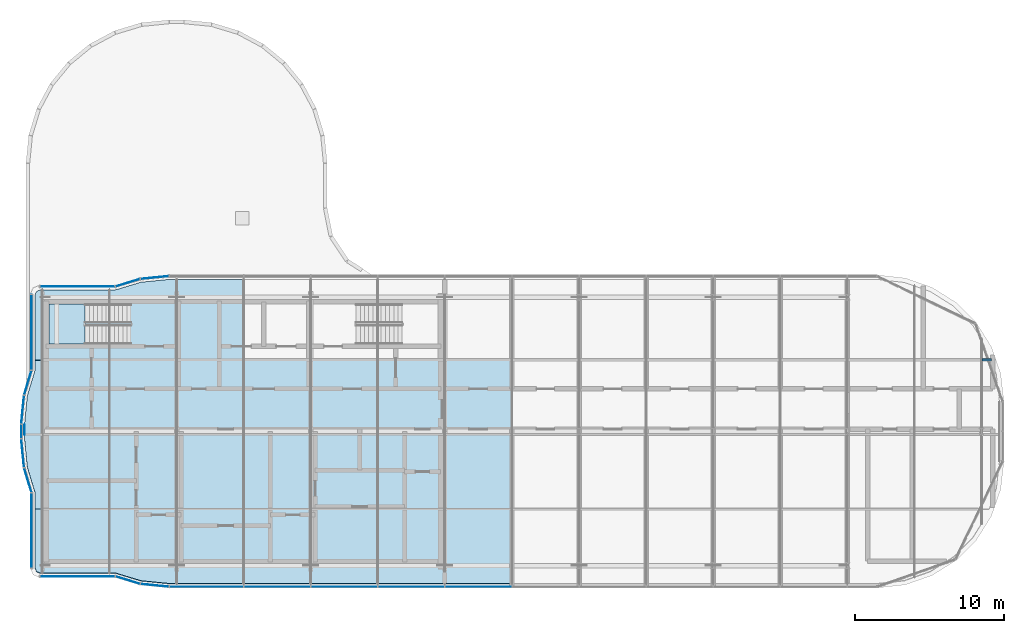
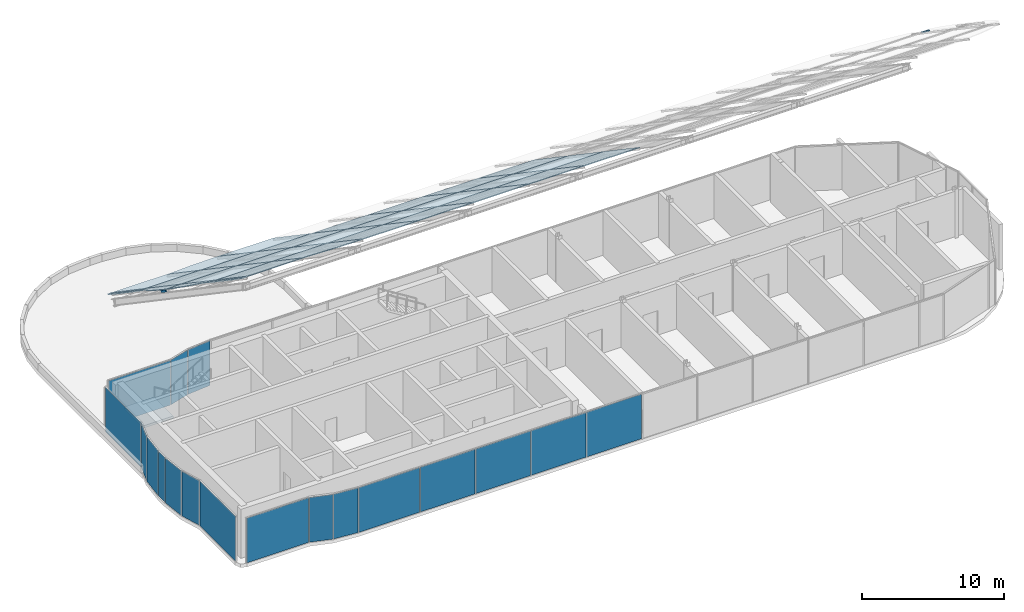
# One storey, part 18 of 25: 46 plates, 2 members, 1 slab, 27 elements without a shape of their own.
"""IFC4 building model written with IfcOpenShell, lengths in metres."""

from ifc_helpers import new_model, si_unit, direction, frame, origin, origin_2d, place, context, subcontext, project, spatial, polyline, rectangle, outline, extrude, material, layer, layer_set, material_profile, profile_set, type_object, element, aggregate, save


model = new_model("IFC4")

# Units and contexts
model_context = context("Model", 3, precision=1e-05, world=origin(), true_north=direction((0.0, 1.0)))
body_context = subcontext(model_context, "Body", "Model", "MODEL_VIEW")
ifc_project = project(units=[si_unit("LENGTHUNIT", "METRE"), si_unit("AREAUNIT", "SQUARE_METRE"), si_unit("VOLUMEUNIT", "CUBIC_METRE"), si_unit("PLANEANGLEUNIT", "RADIAN"), si_unit("MASSUNIT", "GRAM", prefix="KILO")], contexts=[model_context])

# Site, building, storey
site_placement = place(None, origin())
site = spatial("IfcSite", under=ifc_project, at=site_placement, CompositionType="ELEMENT")
building_placement = place(site_placement, origin())
building = spatial("IfcBuilding", under=site, at=building_placement, Name="Ogive Portal Towers", CompositionType="ELEMENT")
storey_placement = place(building_placement, frame((0.0, 0.0, 272.89990234375)))
storey = spatial("IfcBuildingStorey", under=building, at=storey_placement, Name="L66", CompositionType="ELEMENT", Elevation=272.89990234375)

# Curtain wall, member
ifc_material_1 = material(Name="Glass, clear low-iron insulated glazing", Category="glass")
curtain_wall_type = type_object("IfcCurtainWallType", Name="CW CROWN GLAZING", PredefinedType="NOTDEFINED", material=ifc_material_1)
curtain_wall_1_placement = place(storey_placement, origin())
curtain_wall_1 = element("IfcCurtainWall", 1, at=curtain_wall_1_placement, inside=storey, type_object=curtain_wall_type, Name="Crown roof glazing 1", PredefinedType="NOTDEFINED")
ifc_material_2 = material(Name="Aluminium 6063 anodised", Category="aluminium")
ifc_material_profile_1 = material_profile(ifc_material_2, rectangle(XDim=0.06005859375, YDim=0.159912109375, at=origin_2d()), Name="AL 60x160 rafter")
ifc_profile_set_1 = profile_set([ifc_material_profile_1], Name="Aluminium 6063 anodised")
member_type_1 = type_object("IfcMemberType", Name="CW ROOF RAFTER 60x160", PredefinedType="MULLION", material=ifc_profile_set_1)
member_1_placement = place(storey_placement, frame((30.300048828125, 30.300048828125, 17.931640625), z_axis=(0.0, 0.826893626001, -0.562358365528), x_axis=(-1.0, 0.0, 0.0)))
member_1 = element("IfcMember", 2, at=member_1_placement, type_object=member_type_1, Name="roof rafter", PredefinedType="MULLION", context=body_context, shape_type="SweptSolid", body=[
    extrude(rectangle(XDim=0.06005859375, YDim=0.159912109375, at=origin_2d()), origin(), (0.0, 0.0, 1.0), 0.828857421875),
])

curtain_wall_2_placement = place(storey_placement, origin())
curtain_wall_2 = element("IfcCurtainWall", 3, at=curtain_wall_2_placement, inside=storey, type_object=curtain_wall_type, Name="Crown roof glazing 6", PredefinedType="NOTDEFINED")
ifc_material_profile_2 = material_profile(ifc_material_2, rectangle(XDim=0.1201171875, YDim=0.06005859375, at=origin_2d()), Name="AL 120x60")
ifc_profile_set_2 = profile_set([ifc_material_profile_2], Name="Aluminium 6063 anodised")
member_type_2 = type_object("IfcMemberType", Name="CW TRANSOM 60x120", PredefinedType="USERDEFINED", material=ifc_profile_set_2)
member_2_placement = place(storey_placement, frame((94.530029296875, 35.300048828125, 14.592041015625), z_axis=(1.0, 0.0, 0.0), x_axis=(0.0, 1.0, 0.0)))
member_2 = element("IfcMember", 4, at=member_2_placement, type_object=member_type_2, Name="roof transom", ObjectType="TRANSOM", PredefinedType="USERDEFINED", context=body_context, shape_type="SweptSolid", body=[
    extrude(rectangle(XDim=0.1201171875, YDim=0.06005859375, at=origin_2d()), origin(), (0.0, 0.0, 1.0), 0.62109375),
])
aggregate(curtain_wall_2, [member_2])

# Curtain wall, plate
curtain_wall_3_placement = place(storey_placement, origin())
curtain_wall_3 = element("IfcCurtainWall", 5, at=curtain_wall_3_placement, inside=storey, type_object=curtain_wall_type, Name="A:L66:c00:cw", PredefinedType="NOTDEFINED")
ifc_layer_1 = layer(ifc_material_1, 0.028076171875)
ifc_layer_set_1 = layer_set([ifc_layer_1], Name="CW PANEL IGU 28")
plate_type_1 = type_object("IfcPlateType", Name="CW PANEL IGU 28", PredefinedType="CURTAIN_PANEL", material=ifc_layer_set_1)
plate_1_placement = place(storey_placement, frame((30.780029296875, 23.851318359375, 0.0), z_axis=(0.0, 0.0, 1.0), x_axis=(0.0, -1.0, 0.0)))
plate_1 = element("IfcPlate", 6, at=plate_1_placement, type_object=plate_type_1, Name="panel", PredefinedType="CURTAIN_PANEL", context=body_context, shape_type="SweptSolid", body=[
    extrude(rectangle(XDim=5.010986328125, YDim=0.028076171875, at=origin_2d()), origin(), (0.0, 0.0, 1.0), 3.840087890625),
])
aggregate(curtain_wall_3, [plate_1])

curtain_wall_4_placement = place(storey_placement, origin())
curtain_wall_4 = element("IfcCurtainWall", 7, at=curtain_wall_4_placement, inside=storey, type_object=curtain_wall_type, Name="A:L66:c03:cw", PredefinedType="NOTDEFINED")
plate_2_placement = place(storey_placement, frame((33.851318359375, 20.780029296875, 0.0), z_axis=(0.0, 0.0, 1.0), x_axis=(1.0, 0.0, 0.0)))
plate_2 = element("IfcPlate", 8, at=plate_2_placement, type_object=plate_type_1, Name="panel", PredefinedType="CURTAIN_PANEL", context=body_context, shape_type="SweptSolid", body=[
    extrude(rectangle(XDim=5.010986328125, YDim=0.028076171875, at=origin_2d()), origin(), (0.0, 0.0, 1.0), 3.840087890625),
])
aggregate(curtain_wall_4, [plate_2])

curtain_wall_5_placement = place(storey_placement, origin())
curtain_wall_5 = element("IfcCurtainWall", 9, at=curtain_wall_5_placement, inside=storey, type_object=curtain_wall_type, Name="A:L66:c04:cw", PredefinedType="NOTDEFINED")
plate_3_placement = place(storey_placement, frame((37.225830078125, 20.525390625, 0.0), z_axis=(0.0, 0.0, 1.0), x_axis=(0.956940335732, -0.290284677254, 0.0)))
plate_3 = element("IfcPlate", 10, at=plate_3_placement, type_object=plate_type_1, Name="panel", PredefinedType="CURTAIN_PANEL", context=body_context, shape_type="SweptSolid", body=[
    extrude(rectangle(XDim=1.693603515625, YDim=0.028076171875, at=origin_2d()), origin(), (0.0, 0.0, 1.0), 3.840087890625),
])
aggregate(curtain_wall_5, [plate_3])

curtain_wall_6_placement = place(storey_placement, origin())
curtain_wall_6 = element("IfcCurtainWall", 11, at=curtain_wall_6_placement, inside=storey, type_object=curtain_wall_type, Name="A:L66:c05:cw", PredefinedType="NOTDEFINED")
plate_4_placement = place(storey_placement, frame((39.034423828125, 20.175537109375, 0.0), z_axis=(0.0, 0.0, 1.0), x_axis=(0.995184726672, -0.09801714033, 0.0)))
plate_4 = element("IfcPlate", 12, at=plate_4_placement, type_object=plate_type_1, Name="panel", PredefinedType="CURTAIN_PANEL", context=body_context, shape_type="SweptSolid", body=[
    extrude(rectangle(XDim=1.888427734375, YDim=0.028076171875, at=origin_2d()), origin(), (0.0, 0.0, 1.0), 3.840087890625),
])
aggregate(curtain_wall_6, [plate_4])

# Curtain wall, plates
curtain_wall_7_placement = place(storey_placement, origin())
curtain_wall_7 = element("IfcCurtainWall", 13, at=curtain_wall_7_placement, inside=storey, type_object=curtain_wall_type, Name="A:L66:c06:cw", PredefinedType="NOTDEFINED")
plate_5_placement = place(storey_placement, frame((42.501953125, 20.080078125, 0.0), z_axis=(0.0, 0.0, 1.0), x_axis=(1.0, 0.0, 0.0)))
plate_5 = element("IfcPlate", 14, at=plate_5_placement, type_object=plate_type_1, Name="panel", PredefinedType="CURTAIN_PANEL", context=body_context, shape_type="SweptSolid", body=[
    extrude(rectangle(XDim=4.93603515625, YDim=0.028076171875, at=origin_2d()), origin(), (0.0, 0.0, 1.0), 3.840087890625),
])
plate_6_placement = place(storey_placement, frame((47.25, 20.080078125, 0.0), z_axis=(0.0, 0.0, 1.0), x_axis=(1.0, 0.0, 0.0)))
plate_6 = element("IfcPlate", 15, at=plate_6_placement, type_object=plate_type_1, Name="panel", PredefinedType="CURTAIN_PANEL", context=body_context, shape_type="SweptSolid", body=[
    extrude(rectangle(XDim=4.43994140625, YDim=0.028076171875, at=origin_2d()), origin(), (0.0, 0.0, 1.0), 3.840087890625),
])
plate_7_placement = place(storey_placement, frame((51.75, 20.080078125, 0.0), z_axis=(0.0, 0.0, 1.0), x_axis=(1.0, 0.0, 0.0)))
plate_7 = element("IfcPlate", 16, at=plate_7_placement, type_object=plate_type_1, Name="panel", PredefinedType="CURTAIN_PANEL", context=body_context, shape_type="SweptSolid", body=[
    extrude(rectangle(XDim=4.43994140625, YDim=0.028076171875, at=origin_2d()), origin(), (0.0, 0.0, 1.0), 3.840087890625),
])
plate_8_placement = place(storey_placement, frame((56.25, 20.080078125, 0.0), z_axis=(0.0, 0.0, 1.0), x_axis=(1.0, 0.0, 0.0)))
plate_8 = element("IfcPlate", 17, at=plate_8_placement, type_object=plate_type_1, Name="panel", PredefinedType="CURTAIN_PANEL", context=body_context, shape_type="SweptSolid", body=[
    extrude(rectangle(XDim=4.43994140625, YDim=0.028076171875, at=origin_2d()), origin(), (0.0, 0.0, 1.0), 3.840087890625),
])
plate_9_placement = place(storey_placement, frame((60.75, 20.080078125, 0.0), z_axis=(0.0, 0.0, 1.0), x_axis=(1.0, 0.0, 0.0)))
plate_9 = element("IfcPlate", 18, at=plate_9_placement, type_object=plate_type_1, Name="panel", PredefinedType="CURTAIN_PANEL", context=body_context, shape_type="SweptSolid", body=[
    extrude(rectangle(XDim=4.43994140625, YDim=0.028076171875, at=origin_2d()), origin(), (0.0, 0.0, 1.0), 3.840087890625),
])
aggregate(curtain_wall_7, [plate_5, plate_6, plate_7, plate_8, plate_9])

# Curtain wall, plate
curtain_wall_8_placement = place(storey_placement, origin())
curtain_wall_8 = element("IfcCurtainWall", 19, at=curtain_wall_8_placement, inside=storey, type_object=curtain_wall_type, Name="A:L66:c13:cw", PredefinedType="NOTDEFINED")
plate_10_placement = place(storey_placement, frame((39.034423828125, 40.824462890625, 0.0), z_axis=(0.0, 0.0, 1.0), x_axis=(-0.995184726672, -0.09801714033, 0.0)))
plate_10 = element("IfcPlate", 20, at=plate_10_placement, type_object=plate_type_1, Name="panel", PredefinedType="CURTAIN_PANEL", context=body_context, shape_type="SweptSolid", body=[
    extrude(rectangle(XDim=1.888427734375, YDim=0.028076171875, at=origin_2d()), origin(), (0.0, 0.0, 1.0), 3.840087890625),
])
aggregate(curtain_wall_8, [plate_10])

curtain_wall_9_placement = place(storey_placement, origin())
curtain_wall_9 = element("IfcCurtainWall", 21, at=curtain_wall_9_placement, inside=storey, type_object=curtain_wall_type, Name="A:L66:c14:cw", PredefinedType="NOTDEFINED")
plate_11_placement = place(storey_placement, frame((37.225830078125, 40.474609375, 0.0), z_axis=(0.0, 0.0, 1.0), x_axis=(-0.956940335732, -0.290284677254, 0.0)))
plate_11 = element("IfcPlate", 22, at=plate_11_placement, type_object=plate_type_1, Name="panel", PredefinedType="CURTAIN_PANEL", context=body_context, shape_type="SweptSolid", body=[
    extrude(rectangle(XDim=1.693603515625, YDim=0.028076171875, at=origin_2d()), origin(), (0.0, 0.0, 1.0), 3.840087890625),
])
aggregate(curtain_wall_9, [plate_11])

curtain_wall_10_placement = place(storey_placement, origin())
curtain_wall_10 = element("IfcCurtainWall", 23, at=curtain_wall_10_placement, inside=storey, type_object=curtain_wall_type, Name="A:L66:c15:cw", PredefinedType="NOTDEFINED")
plate_12_placement = place(storey_placement, frame((33.851318359375, 40.219970703125, 0.0), z_axis=(0.0, 0.0, 1.0), x_axis=(-1.0, 0.0, 0.0)))
plate_12 = element("IfcPlate", 24, at=plate_12_placement, type_object=plate_type_1, Name="panel", PredefinedType="CURTAIN_PANEL", context=body_context, shape_type="SweptSolid", body=[
    extrude(rectangle(XDim=5.010986328125, YDim=0.028076171875, at=origin_2d()), origin(), (0.0, 0.0, 1.0), 3.840087890625),
])
aggregate(curtain_wall_10, [plate_12])

curtain_wall_11_placement = place(storey_placement, origin())
curtain_wall_11 = element("IfcCurtainWall", 25, at=curtain_wall_11_placement, inside=storey, type_object=curtain_wall_type, Name="A:L66:c18:cw", PredefinedType="NOTDEFINED")
plate_13_placement = place(storey_placement, frame((30.780029296875, 37.148681640625, 0.0), z_axis=(0.0, 0.0, 1.0), x_axis=(0.0, -1.0, 0.0)))
plate_13 = element("IfcPlate", 26, at=plate_13_placement, type_object=plate_type_1, Name="panel", PredefinedType="CURTAIN_PANEL", context=body_context, shape_type="SweptSolid", body=[
    extrude(rectangle(XDim=5.010986328125, YDim=0.028076171875, at=origin_2d()), origin(), (0.0, 0.0, 1.0), 3.840087890625),
])
aggregate(curtain_wall_11, [plate_13])

curtain_wall_12_placement = place(storey_placement, origin())
curtain_wall_12 = element("IfcCurtainWall", 27, at=curtain_wall_12_placement, inside=storey, type_object=curtain_wall_type, Name="A:L66:c19:cw", PredefinedType="NOTDEFINED")
plate_14_placement = place(storey_placement, frame((30.525390625, 33.774169921875, 0.0), z_axis=(0.0, 0.0, 1.0), x_axis=(-0.290284677254, -0.956940335732, 0.0)))
plate_14 = element("IfcPlate", 28, at=plate_14_placement, type_object=plate_type_1, Name="panel", PredefinedType="CURTAIN_PANEL", context=body_context, shape_type="SweptSolid", body=[
    extrude(rectangle(XDim=1.693603515625, YDim=0.028076171875, at=origin_2d()), origin(), (0.0, 0.0, 1.0), 3.840087890625),
])
aggregate(curtain_wall_12, [plate_14])

curtain_wall_13_placement = place(storey_placement, origin())
curtain_wall_13 = element("IfcCurtainWall", 29, at=curtain_wall_13_placement, inside=storey, type_object=curtain_wall_type, Name="A:L66:c20:cw", PredefinedType="NOTDEFINED")
plate_15_placement = place(storey_placement, frame((30.175537109375, 31.965576171875, 0.0), z_axis=(0.0, 0.0, 1.0), x_axis=(-0.09801714033, -0.995184726672, 0.0)))
plate_15 = element("IfcPlate", 30, at=plate_15_placement, type_object=plate_type_1, Name="panel", PredefinedType="CURTAIN_PANEL", context=body_context, shape_type="SweptSolid", body=[
    extrude(rectangle(XDim=1.888427734375, YDim=0.028076171875, at=origin_2d()), origin(), (0.0, 0.0, 1.0), 3.840087890625),
])
aggregate(curtain_wall_13, [plate_15])

curtain_wall_14_placement = place(storey_placement, origin())
curtain_wall_14 = element("IfcCurtainWall", 31, at=curtain_wall_14_placement, inside=storey, type_object=curtain_wall_type, Name="A:L66:c21:cw", PredefinedType="NOTDEFINED")
plate_16_placement = place(storey_placement, frame((30.080078125, 30.5, 0.0), z_axis=(0.0, 0.0, 1.0), x_axis=(0.0, -1.0, 0.0)))
plate_16 = element("IfcPlate", 32, at=plate_16_placement, type_object=plate_type_1, Name="panel", PredefinedType="CURTAIN_PANEL", context=body_context, shape_type="SweptSolid", body=[
    extrude(rectangle(XDim=0.93212890625, YDim=0.028076171875, at=origin_2d()), origin(), (0.0, 0.0, 1.0), 3.840087890625),
])
aggregate(curtain_wall_14, [plate_16])

curtain_wall_15_placement = place(storey_placement, origin())
curtain_wall_15 = element("IfcCurtainWall", 33, at=curtain_wall_15_placement, inside=storey, type_object=curtain_wall_type, Name="A:L66:c22:cw", PredefinedType="NOTDEFINED")
plate_17_placement = place(storey_placement, frame((30.175537109375, 29.034423828125, 0.0), z_axis=(0.0, 0.0, 1.0), x_axis=(0.09801714033, -0.995184726672, 0.0)))
plate_17 = element("IfcPlate", 34, at=plate_17_placement, type_object=plate_type_1, Name="panel", PredefinedType="CURTAIN_PANEL", context=body_context, shape_type="SweptSolid", body=[
    extrude(rectangle(XDim=1.888427734375, YDim=0.028076171875, at=origin_2d()), origin(), (0.0, 0.0, 1.0), 3.840087890625),
])
aggregate(curtain_wall_15, [plate_17])

curtain_wall_16_placement = place(storey_placement, origin())
curtain_wall_16 = element("IfcCurtainWall", 35, at=curtain_wall_16_placement, inside=storey, type_object=curtain_wall_type, Name="A:L66:c23:cw", PredefinedType="NOTDEFINED")
plate_18_placement = place(storey_placement, frame((30.525390625, 27.225830078125, 0.0), z_axis=(0.0, 0.0, 1.0), x_axis=(0.290284677254, -0.956940335732, 0.0)))
plate_18 = element("IfcPlate", 36, at=plate_18_placement, type_object=plate_type_1, Name="panel", PredefinedType="CURTAIN_PANEL", context=body_context, shape_type="SweptSolid", body=[
    extrude(rectangle(XDim=1.693603515625, YDim=0.028076171875, at=origin_2d()), origin(), (0.0, 0.0, 1.0), 3.840087890625),
])
aggregate(curtain_wall_16, [plate_18])

curtain_wall_17_placement = place(storey_placement, origin())
curtain_wall_17 = element("IfcCurtainWall", 37, at=curtain_wall_17_placement, inside=storey, type_object=curtain_wall_type, Name="Crown roof glazing edge 1.1", PredefinedType="NOTDEFINED")
ifc_layer_2 = layer(ifc_material_1, 0.055908203125)
ifc_layer_set_2 = layer_set([ifc_layer_2], Name="CW ROOF PANEL IGU 56")
plate_type_2 = type_object("IfcPlateType", Name="CW ROOF PANEL IGU 56", PredefinedType="CURTAIN_PANEL", material=ifc_layer_set_2)
plate_19_placement = place(storey_placement, frame((31.5, 21.0, 24.420166015625), z_axis=(-8.5233044e-05, 0.562303198042, 0.826931137524), x_axis=(-1.233e-09, 0.826931140528, -0.562303200084)))
plate_19 = element("IfcPlate", 38, at=plate_19_placement, type_object=plate_type_2, Name="roof panel", PredefinedType="CURTAIN_PANEL", context=body_context, shape_type="SweptSolid", body=[
    extrude(outline(polyline([(0.0, 0.0), (5.200059474006227, 2.710505431213761e-20), (5.2000594746224955, 0.499999998183832), (0.43493588354650037, 0.5000000041482142), (0.12737413681283463, 0.39477540495440205), (1.7302475975055135e-10, 0.14038085886508955), (0.0, 0.0)])), origin(), (0.0, 0.0, -1.0), 0.055908203125),
])
aggregate(curtain_wall_17, [plate_19])

curtain_wall_18_placement = place(storey_placement, origin())
curtain_wall_18 = element("IfcCurtainWall", 39, at=curtain_wall_18_placement, inside=storey, type_object=curtain_wall_type, Name="Crown roof glazing edge 1.2", PredefinedType="NOTDEFINED")
plate_20_placement = place(storey_placement, frame((30.48779296875, 28.10791015625, 19.586669921875), z_axis=(-0.000127160178, 0.562285813765, 0.826942952972), x_axis=(0.242576825803, -0.802226647183, 0.545517085098)))
plate_20 = element("IfcPlate", 40, at=plate_20_placement, type_object=plate_type_2, Name="roof panel", PredefinedType="CURTAIN_PANEL", context=body_context, shape_type="SweptSolid", body=[
    extrude(outline(polyline([(0.0, 0.0), (2.087370262362453, -5.551115123125783e-17), (3.4184140557450124, -0.3267812264589724), (3.5397024686463014, 0.15828486888624826), (-2.32613558344672, 1.625009070771845), (-2.61721592983824, 0.460897811679189), (-2.2825129229719825, 0.37720693315208786), (0.0, 0.0)])), origin(), (0.0, 0.0, -1.0), 0.055908203125),
])
aggregate(curtain_wall_18, [plate_20])

curtain_wall_19_placement = place(storey_placement, origin())
curtain_wall_19 = element("IfcCurtainWall", 41, at=curtain_wall_19_placement, inside=storey, type_object=curtain_wall_type, Name="Crown roof glazing edge 1.3", PredefinedType="NOTDEFINED")
plate_21_placement = place(storey_placement, frame((30.300048828125, 30.300048828125, 18.09619140625), z_axis=(-9.019325e-06, 0.562326901071, 0.826915023597), x_axis=(0.999999999959, 5.071809e-06, 7.458215e-06)))
plate_21 = element("IfcPlate", 42, at=plate_21_placement, type_object=plate_type_2, Name="roof panel", PredefinedType="CURTAIN_PANEL", context=body_context, shape_type="SweptSolid", body=[
    extrude(outline(polyline([(0.0, 0.0), (1.1999511718261933, 0.0), (1.1999511718468925, 6.046568953977323), (0.6999511718672295, 6.046568953977323), (0.6940917972140213, 5.159633751359792), (0.18774414039328607, 3.1346086503381123), (-2.844274575932095e-10, 0.8287677064256787), (0.0, 0.0)])), origin(), (0.0, 0.0, -1.0), 0.055908203125),
])
aggregate(curtain_wall_19, [plate_21])

curtain_wall_20_placement = place(storey_placement, origin())
curtain_wall_20 = element("IfcCurtainWall", 43, at=curtain_wall_20_placement, inside=storey, type_object=curtain_wall_type, Name="Crown roof glazing edge 1.4", PredefinedType="NOTDEFINED")
plate_22_placement = place(storey_placement, frame((31.0, 35.300048828125, 14.696044921875), z_axis=(8.1635011e-05, 0.562308564748, 0.826927488566), x_axis=(0.999999996668, -4.5904066e-05, -6.7506235e-05)))
plate_22 = element("IfcPlate", 44, at=plate_22_placement, type_object=plate_type_2, Name="roof panel", PredefinedType="CURTAIN_PANEL", context=body_context, shape_type="SweptSolid", body=[
    extrude(outline(polyline([(0.0, 0.0), (0.4999999983339313, 0.0), (0.5000000044241275, 5.68368227077188), (0.35961914551689583, 5.68368227077188), (0.10522459993376512, 5.556308133236114), (9.457366048062563e-11, 5.248746387355857), (0.0, 0.0)])), origin(), (0.0, 0.0, -1.0), 0.055908203125),
])
aggregate(curtain_wall_20, [plate_22])

curtain_wall_21_placement = place(storey_placement, origin())
curtain_wall_21 = element("IfcCurtainWall", 45, at=curtain_wall_21_placement, inside=storey, type_object=curtain_wall_type, Name="Crown roof glazing edge 1.5", PredefinedType="NOTDEFINED")
plate_23_placement = place(storey_placement, frame((36.0, 21.0, 24.420166015625), z_axis=(0.0, 0.562315158112, 0.826923009087), x_axis=(0.0, 0.826923009087, -0.562315158112)))
plate_23 = element("IfcPlate", 46, at=plate_23_placement, type_object=plate_type_2, Name="roof panel", PredefinedType="CURTAIN_PANEL", context=body_context, shape_type="SweptSolid", body=[
    extrude(outline(polyline([(0.0, 0.0), (5.200059474549931, 0.0), (5.200059474549931, 4.5), (0.0, 4.5), (0.0, 0.0)])), origin(), (0.0, 0.0, -1.0), 0.055908203125),
])
aggregate(curtain_wall_21, [plate_23])

curtain_wall_22_placement = place(storey_placement, origin())
curtain_wall_22 = element("IfcCurtainWall", 47, at=curtain_wall_22_placement, inside=storey, type_object=curtain_wall_type, Name="Crown roof glazing edge 1.6", PredefinedType="NOTDEFINED")
plate_24_placement = place(storey_placement, frame((31.5, 40.0, 11.5), z_axis=(0.0, 0.56231942064, 0.826920110513), x_axis=(0.0, -0.826920110513, 0.56231942064)))
plate_24 = element("IfcPlate", 48, at=plate_24_placement, type_object=plate_type_2, Name="roof panel", PredefinedType="CURTAIN_PANEL", context=body_context, shape_type="SweptSolid", body=[
    extrude(outline(polyline([(0.0, 0.0), (5.683682271261489, 0.0), (5.683682271261489, 4.5), (0.0, 4.5), (0.0, 0.0)])), origin(), (0.0, 0.0, -1.0), 0.055908203125),
])
aggregate(curtain_wall_22, [plate_24])

curtain_wall_23_placement = place(storey_placement, origin())
curtain_wall_23 = element("IfcCurtainWall", 49, at=curtain_wall_23_placement, inside=storey, type_object=curtain_wall_type, Name="Crown roof glazing edge 1.7", PredefinedType="NOTDEFINED")
plate_25_placement = place(storey_placement, frame((40.5, 20.300048828125, 24.89599609375), z_axis=(1.042962e-05, 0.562299843075, 0.826933423178), x_axis=(-1.1e-11, 0.826933423223, -0.562299843106)))
plate_25 = element("IfcPlate", 50, at=plate_25_placement, type_object=plate_type_2, Name="roof panel", PredefinedType="CURTAIN_PANEL", context=body_context, shape_type="SweptSolid", body=[
    extrude(outline(polyline([(0.0, 0.0), (6.046431670580315, 6.776263578034403e-21), (6.046431670629463, 4.499999999755252), (0.8463721969713514, 4.500000000816491), (0.8393304001777894, 4.06665039079225), (0.22704946789789512, 2.3920898434198232), (5.300929157206609e-12, 0.48535156247360245), (0.0, 0.0)])), origin(), (0.0, 0.0, -1.0), 0.055908203125),
])
aggregate(curtain_wall_23, [plate_25])

curtain_wall_24_placement = place(storey_placement, origin())
curtain_wall_24 = element("IfcCurtainWall", 51, at=curtain_wall_24_placement, inside=storey, type_object=curtain_wall_type, Name="Crown roof glazing edge 1.8", PredefinedType="NOTDEFINED")
plate_26_placement = place(storey_placement, frame((36.0, 40.0, 11.5), z_axis=(-1.1733853e-05, 0.562306807738, 0.826928687272), x_axis=(1.79e-10, -0.826928687329, 0.562306807777)))
plate_26 = element("IfcPlate", 52, at=plate_26_placement, type_object=plate_type_2, Name="roof panel", PredefinedType="CURTAIN_PANEL", context=body_context, shape_type="SweptSolid", body=[
    extrude(outline(polyline([(0.0, 0.0), (5.683682270600346, 0.0), (5.683682271405726, 4.499999999690213), (-0.8463721952223482, 4.500000001129683), (-0.8463721953092131, 4.014648438663095), (-0.6193227276271871, 2.107910157703588), (-0.015642154582468402, 0.4619140625650435), (6.711502787211534e-11, 0.37499999997418443), (0.0, 0.0)])), origin(), (0.0, 0.0, -1.0), 0.055908203125),
])
aggregate(curtain_wall_24, [plate_26])

# Plate
plate_27_placement = place(storey_placement, frame((36.0, 25.300048828125, 21.49609375), z_axis=(0.0, 0.562298977146, 0.82693401206), x_axis=(0.0, 0.82693401206, -0.562298977146)))
plate_27 = element("IfcPlate", 53, at=plate_27_placement, type_object=plate_type_2, Name="roof panel", PredefinedType="CURTAIN_PANEL", context=body_context, shape_type="SweptSolid", body=[
    extrude(outline(polyline([(0.0, 0.0), (6.04643167058363, 0.0), (6.04643167058363, 4.5), (0.0, 4.5), (0.0, 0.0)])), origin(), (0.0, 0.0, -1.0), 0.055908203125),
])

plate_28_placement = place(storey_placement, frame((36.0, 30.300048828125, 18.09619140625), z_axis=(0.0, 0.562326587236, 0.826915237064), x_axis=(0.0, 0.826915237064, -0.562326587236)))
plate_28 = element("IfcPlate", 54, at=plate_28_placement, type_object=plate_type_2, Name="roof panel", PredefinedType="CURTAIN_PANEL", context=body_context, shape_type="SweptSolid", body=[
    extrude(outline(polyline([(0.0, 0.0), (6.046568953977757, 0.0), (6.046568953977757, 4.5), (0.0, 4.5), (0.0, 0.0)])), origin(), (0.0, 0.0, -1.0), 0.055908203125),
])

plate_29_placement = place(storey_placement, frame((40.5, 25.300048828125, 21.49609375), z_axis=(0.0, 0.562298977146, 0.82693401206), x_axis=(0.0, 0.82693401206, -0.562298977146)))
plate_29 = element("IfcPlate", 55, at=plate_29_placement, type_object=plate_type_2, Name="roof panel", PredefinedType="CURTAIN_PANEL", context=body_context, shape_type="SweptSolid", body=[
    extrude(outline(polyline([(0.0, 0.0), (6.04643167058363, 0.0), (6.04643167058363, 4.5), (0.0, 4.5), (0.0, 0.0)])), origin(), (0.0, 0.0, -1.0), 0.055908203125),
])

plate_30_placement = place(storey_placement, frame((40.5, 30.300048828125, 18.09619140625), z_axis=(0.0, 0.562326587236, 0.826915237064), x_axis=(0.0, 0.826915237064, -0.562326587236)))
plate_30 = element("IfcPlate", 56, at=plate_30_placement, type_object=plate_type_2, Name="roof panel", PredefinedType="CURTAIN_PANEL", context=body_context, shape_type="SweptSolid", body=[
    extrude(outline(polyline([(0.0, 0.0), (6.046568953977757, 0.0), (6.046568953977757, 4.5), (0.0, 4.5), (0.0, 0.0)])), origin(), (0.0, 0.0, -1.0), 0.055908203125),
])

aggregate(curtain_wall_1, [plate_27, plate_28, plate_29, plate_30, member_1])

# Curtain wall, plates
curtain_wall_25_placement = place(storey_placement, origin())
curtain_wall_25 = element("IfcCurtainWall", 57, at=curtain_wall_25_placement, inside=storey, type_object=curtain_wall_type, Name="Crown roof glazing 2", PredefinedType="NOTDEFINED")
plate_31_placement = place(storey_placement, frame((45.0, 20.300048828125, 24.89599609375), z_axis=(0.0, 0.562298977146, 0.82693401206), x_axis=(0.0, 0.82693401206, -0.562298977146)))
plate_31 = element("IfcPlate", 58, at=plate_31_placement, type_object=plate_type_2, Name="roof panel", PredefinedType="CURTAIN_PANEL", context=body_context, shape_type="SweptSolid", body=[
    extrude(outline(polyline([(0.0, 0.0), (6.04643167058363, 0.0), (6.04643167058363, 4.5), (0.0, 4.5), (0.0, 0.0)])), origin(), (0.0, 0.0, -1.0), 0.055908203125),
])
plate_32_placement = place(storey_placement, frame((45.0, 25.300048828125, 21.49609375), z_axis=(0.0, 0.562298977146, 0.82693401206), x_axis=(0.0, 0.82693401206, -0.562298977146)))
plate_32 = element("IfcPlate", 59, at=plate_32_placement, type_object=plate_type_2, Name="roof panel", PredefinedType="CURTAIN_PANEL", context=body_context, shape_type="SweptSolid", body=[
    extrude(outline(polyline([(0.0, 0.0), (6.04643167058363, 0.0), (6.04643167058363, 4.5), (0.0, 4.5), (0.0, 0.0)])), origin(), (0.0, 0.0, -1.0), 0.055908203125),
])
plate_33_placement = place(storey_placement, frame((45.0, 30.300048828125, 18.09619140625), z_axis=(0.0, 0.562326587236, 0.826915237064), x_axis=(0.0, 0.826915237064, -0.562326587236)))
plate_33 = element("IfcPlate", 60, at=plate_33_placement, type_object=plate_type_2, Name="roof panel", PredefinedType="CURTAIN_PANEL", context=body_context, shape_type="SweptSolid", body=[
    extrude(outline(polyline([(0.0, 0.0), (6.046568953977757, 0.0), (6.046568953977757, 4.5), (0.0, 4.5), (0.0, 0.0)])), origin(), (0.0, 0.0, -1.0), 0.055908203125),
])
plate_34_placement = place(storey_placement, frame((40.5, 40.699951171875, 11.024169921875), z_axis=(0.0, 0.562303885633, 0.826930674363), x_axis=(0.0, -0.826930674363, 0.562303885633)))
plate_34 = element("IfcPlate", 61, at=plate_34_placement, type_object=plate_type_2, Name="roof panel", PredefinedType="CURTAIN_PANEL", context=body_context, shape_type="SweptSolid", body=[
    extrude(outline(polyline([(0.0, 0.0), (6.530054466668846, 0.0), (6.530054466668846, 4.5), (0.0, 4.5), (0.0, 0.0)])), origin(), (0.0, 0.0, -1.0), 0.055908203125),
])
plate_35_placement = place(storey_placement, frame((49.5, 20.300048828125, 24.89599609375), z_axis=(0.0, 0.562298977146, 0.82693401206), x_axis=(0.0, 0.82693401206, -0.562298977146)))
plate_35 = element("IfcPlate", 62, at=plate_35_placement, type_object=plate_type_2, Name="roof panel", PredefinedType="CURTAIN_PANEL", context=body_context, shape_type="SweptSolid", body=[
    extrude(outline(polyline([(0.0, 0.0), (6.04643167058363, 0.0), (6.04643167058363, 4.5), (0.0, 4.5), (0.0, 0.0)])), origin(), (0.0, 0.0, -1.0), 0.055908203125),
])
plate_36_placement = place(storey_placement, frame((49.5, 25.300048828125, 21.49609375), z_axis=(0.0, 0.562298977146, 0.82693401206), x_axis=(0.0, 0.82693401206, -0.562298977146)))
plate_36 = element("IfcPlate", 63, at=plate_36_placement, type_object=plate_type_2, Name="roof panel", PredefinedType="CURTAIN_PANEL", context=body_context, shape_type="SweptSolid", body=[
    extrude(outline(polyline([(0.0, 0.0), (6.04643167058363, 0.0), (6.04643167058363, 4.5), (0.0, 4.5), (0.0, 0.0)])), origin(), (0.0, 0.0, -1.0), 0.055908203125),
])
plate_37_placement = place(storey_placement, frame((49.5, 30.300048828125, 18.09619140625), z_axis=(0.0, 0.562326587236, 0.826915237064), x_axis=(0.0, 0.826915237064, -0.562326587236)))
plate_37 = element("IfcPlate", 64, at=plate_37_placement, type_object=plate_type_2, Name="roof panel", PredefinedType="CURTAIN_PANEL", context=body_context, shape_type="SweptSolid", body=[
    extrude(outline(polyline([(0.0, 0.0), (6.046568953977757, 0.0), (6.046568953977757, 4.5), (0.0, 4.5), (0.0, 0.0)])), origin(), (0.0, 0.0, -1.0), 0.055908203125),
])
plate_38_placement = place(storey_placement, frame((54.0, 20.300048828125, 24.89599609375), z_axis=(0.0, 0.562298977146, 0.82693401206), x_axis=(0.0, 0.82693401206, -0.562298977146)))
plate_38 = element("IfcPlate", 65, at=plate_38_placement, type_object=plate_type_2, Name="roof panel", PredefinedType="CURTAIN_PANEL", context=body_context, shape_type="SweptSolid", body=[
    extrude(outline(polyline([(0.0, 0.0), (6.04643167058363, 0.0), (6.04643167058363, 4.5), (0.0, 4.5), (0.0, 0.0)])), origin(), (0.0, 0.0, -1.0), 0.055908203125),
])
plate_39_placement = place(storey_placement, frame((54.0, 25.300048828125, 21.49609375), z_axis=(0.0, 0.562298977146, 0.82693401206), x_axis=(0.0, 0.82693401206, -0.562298977146)))
plate_39 = element("IfcPlate", 66, at=plate_39_placement, type_object=plate_type_2, Name="roof panel", PredefinedType="CURTAIN_PANEL", context=body_context, shape_type="SweptSolid", body=[
    extrude(outline(polyline([(0.0, 0.0), (6.04643167058363, 0.0), (6.04643167058363, 4.5), (0.0, 4.5), (0.0, 0.0)])), origin(), (0.0, 0.0, -1.0), 0.055908203125),
])
plate_40_placement = place(storey_placement, frame((54.0, 30.300048828125, 18.09619140625), z_axis=(0.0, 0.562326587236, 0.826915237064), x_axis=(0.0, 0.826915237064, -0.562326587236)))
plate_40 = element("IfcPlate", 67, at=plate_40_placement, type_object=plate_type_2, Name="roof panel", PredefinedType="CURTAIN_PANEL", context=body_context, shape_type="SweptSolid", body=[
    extrude(outline(polyline([(0.0, 0.0), (6.046568953977757, 0.0), (6.046568953977757, 4.5), (0.0, 4.5), (0.0, 0.0)])), origin(), (0.0, 0.0, -1.0), 0.055908203125),
])
aggregate(curtain_wall_25, [plate_31, plate_32, plate_33, plate_34, plate_35, plate_36, plate_37, plate_38, plate_39, plate_40])

curtain_wall_26_placement = place(storey_placement, origin())
curtain_wall_26 = element("IfcCurtainWall", 68, at=curtain_wall_26_placement, inside=storey, type_object=curtain_wall_type, Name="Crown roof glazing 3", PredefinedType="NOTDEFINED")
plate_41_placement = place(storey_placement, frame((58.5, 20.300048828125, 24.89599609375), z_axis=(0.0, 0.562298977146, 0.82693401206), x_axis=(0.0, 0.82693401206, -0.562298977146)))
plate_41 = element("IfcPlate", 69, at=plate_41_placement, type_object=plate_type_2, Name="roof panel", PredefinedType="CURTAIN_PANEL", context=body_context, shape_type="SweptSolid", body=[
    extrude(outline(polyline([(0.0, 0.0), (6.04643167058363, 0.0), (6.04643167058363, 4.5), (0.0, 4.5), (0.0, 0.0)])), origin(), (0.0, 0.0, -1.0), 0.055908203125),
])
plate_42_placement = place(storey_placement, frame((58.5, 25.300048828125, 21.49609375), z_axis=(0.0, 0.562298977146, 0.82693401206), x_axis=(0.0, 0.82693401206, -0.562298977146)))
plate_42 = element("IfcPlate", 70, at=plate_42_placement, type_object=plate_type_2, Name="roof panel", PredefinedType="CURTAIN_PANEL", context=body_context, shape_type="SweptSolid", body=[
    extrude(outline(polyline([(0.0, 0.0), (6.04643167058363, 0.0), (6.04643167058363, 4.5), (0.0, 4.5), (0.0, 0.0)])), origin(), (0.0, 0.0, -1.0), 0.055908203125),
])
plate_43_placement = place(storey_placement, frame((58.5, 30.300048828125, 18.09619140625), z_axis=(0.0, 0.562326587236, 0.826915237064), x_axis=(0.0, 0.826915237064, -0.562326587236)))
plate_43 = element("IfcPlate", 71, at=plate_43_placement, type_object=plate_type_2, Name="roof panel", PredefinedType="CURTAIN_PANEL", context=body_context, shape_type="SweptSolid", body=[
    extrude(outline(polyline([(0.0, 0.0), (6.046568953977757, 0.0), (6.046568953977757, 4.5), (0.0, 4.5), (0.0, 0.0)])), origin(), (0.0, 0.0, -1.0), 0.055908203125),
])
plate_44_placement = place(storey_placement, frame((63.0, 20.300048828125, 24.89599609375), z_axis=(0.0, 0.562298977146, 0.82693401206), x_axis=(0.0, 0.82693401206, -0.562298977146)))
plate_44 = element("IfcPlate", 72, at=plate_44_placement, type_object=plate_type_2, Name="roof panel", PredefinedType="CURTAIN_PANEL", context=body_context, shape_type="SweptSolid", body=[
    extrude(outline(polyline([(0.0, 0.0), (6.04643167058363, 0.0), (6.04643167058363, 4.5), (0.0, 4.5), (0.0, 0.0)])), origin(), (0.0, 0.0, -1.0), 0.055908203125),
])
plate_45_placement = place(storey_placement, frame((63.0, 25.300048828125, 21.49609375), z_axis=(0.0, 0.562298977146, 0.82693401206), x_axis=(0.0, 0.82693401206, -0.562298977146)))
plate_45 = element("IfcPlate", 73, at=plate_45_placement, type_object=plate_type_2, Name="roof panel", PredefinedType="CURTAIN_PANEL", context=body_context, shape_type="SweptSolid", body=[
    extrude(outline(polyline([(0.0, 0.0), (6.04643167058363, 0.0), (6.04643167058363, 4.5), (0.0, 4.5), (0.0, 0.0)])), origin(), (0.0, 0.0, -1.0), 0.055908203125),
])
plate_46_placement = place(storey_placement, frame((63.0, 30.300048828125, 18.09619140625), z_axis=(0.0, 0.562326587236, 0.826915237064), x_axis=(0.0, 0.826915237064, -0.562326587236)))
plate_46 = element("IfcPlate", 74, at=plate_46_placement, type_object=plate_type_2, Name="roof panel", PredefinedType="CURTAIN_PANEL", context=body_context, shape_type="SweptSolid", body=[
    extrude(outline(polyline([(0.0, 0.0), (6.046568953977757, 0.0), (6.046568953977757, 4.5), (0.0, 4.5), (0.0, 0.0)])), origin(), (0.0, 0.0, -1.0), 0.055908203125),
])
aggregate(curtain_wall_26, [plate_41, plate_42, plate_43, plate_44, plate_45, plate_46])

# Stair, slab
ifc_material_3 = material(Name="Concrete C40/50", Category="concrete")
stair_type = type_object("IfcStairType", Name="INT-STAIR", PredefinedType="HALF_TURN_STAIR", material=ifc_material_3)
stair_placement = place(storey_placement, origin())
stair = element("IfcStair", 75, at=stair_placement, inside=storey, type_object=stair_type, Name="L66 Exit Stair ST-A1", PredefinedType="HALF_TURN_STAIR")
ifc_layer_3 = layer(ifc_material_3, 0.199951171875)
ifc_layer_set_3 = layer_set([ifc_layer_3], Name="INT-LANDING")
slab_type = type_object("IfcSlabType", Name="INT-LANDING", PredefinedType="LANDING", material=ifc_layer_set_3)
slab_placement = place(storey_placement, frame((0.0, 0.0, 1.900146484375)))
slab = element("IfcSlab", 76, at=slab_placement, type_object=slab_type, Name="ST-A1 landing 1", PredefinedType="LANDING", context=body_context, shape_type="SweptSolid", body=[
    extrude(outline(polyline([(34.3701171875, 39.050048828125), (31.949951171875, 39.050048828125), (31.949951171875, 36.35009765625), (34.3701171875, 36.35009765625), (34.3701171875, 39.050048828125)])), origin(), (0.0, 0.0, 1.0), 0.199951171875),
])
aggregate(stair, [slab])

save(model, "model.ifc")
